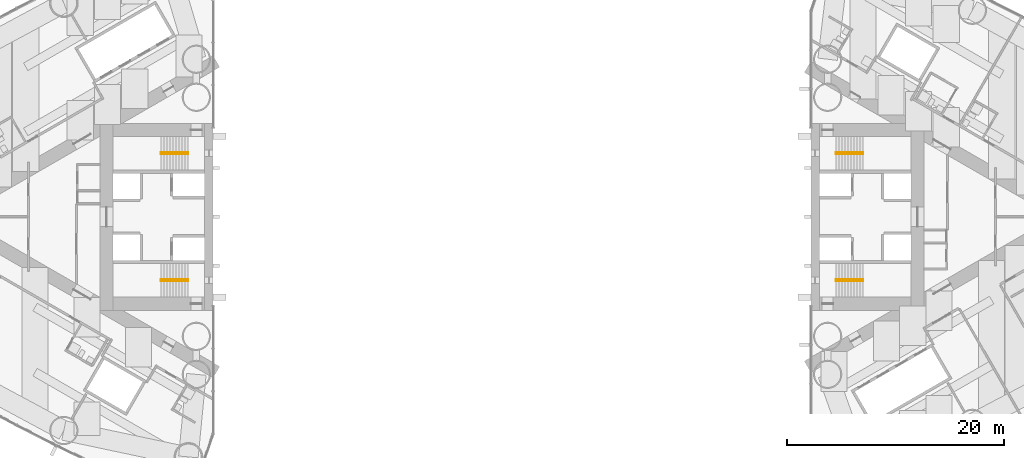
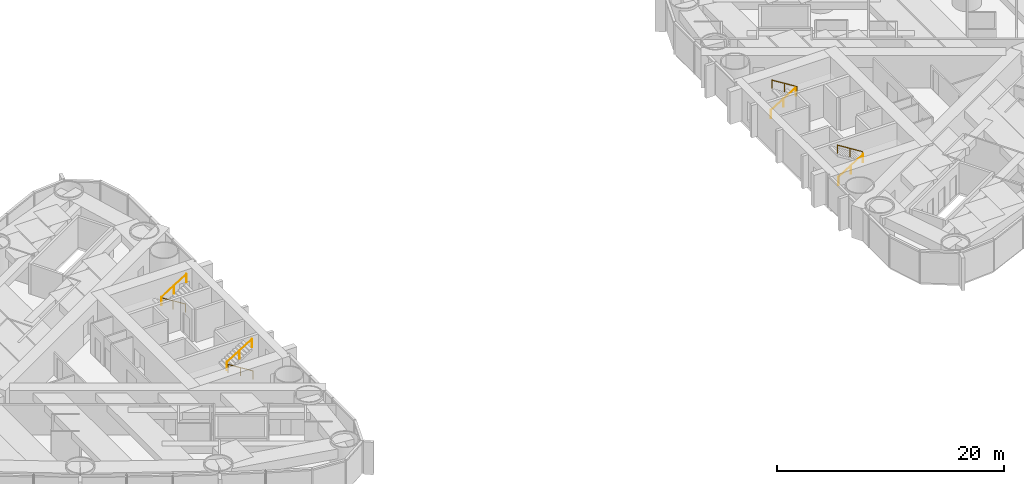
# One storey, part 17 of 18: 8 railings.
"""IFC4 building model written with IfcOpenShell, lengths in metres."""

from ifc_helpers import new_model, si_unit, direction, frame, origin, origin_2d, place, context, subcontext, project, spatial, circle, extrude, material, type_object, element, save


model = new_model("IFC4")

# Units and contexts
model_context = context("Model", 3, precision=1e-05, world=origin(), true_north=direction((0.0, 1.0)))
body_context = subcontext(model_context, "Body", "Model", "MODEL_VIEW")
ifc_project = project(units=[si_unit("LENGTHUNIT", "METRE"), si_unit("AREAUNIT", "SQUARE_METRE"), si_unit("VOLUMEUNIT", "CUBIC_METRE"), si_unit("PLANEANGLEUNIT", "RADIAN"), si_unit("MASSUNIT", "GRAM", prefix="KILO")], contexts=[model_context])

# Site, building, storey
site_placement = place(None, origin())
site = spatial("IfcSite", under=ifc_project, at=site_placement, CompositionType="ELEMENT")
building_placement = place(site_placement, origin())
building = spatial("IfcBuilding", under=site, at=building_placement, Name="Lancet Gate Hotel", CompositionType="ELEMENT")
storey_placement = place(building_placement, frame((0.0, 0.0, 129.10009765625)))
storey = spatial("IfcBuildingStorey", under=building, at=storey_placement, Name="L34", CompositionType="ELEMENT", Elevation=129.10009765625)

# Railings
ifc_material = material(Name="Stainless steel handrail", Category="steel")
railing_type = type_object("IfcRailingType", Name="Stair handrail 900", PredefinedType="HANDRAIL", material=ifc_material)
railing_1_placement = place(storey_placement, frame((-29.800048828125, 5.929931640625, 0.1748046875)))
element("IfcRailing", 1, at=railing_1_placement, inside=storey, type_object=railing_type, Name="ST1 handrail flight 1 L34", PredefinedType="HANDRAIL", context=body_context, shape_type="SweptSolid", body=[
    extrude(circle(Radius=0.02392578125, at=origin_2d()), frame((0.0, 0.0, 0.8759765625), z_axis=(-0.847970611238, 0.0, 0.530043245855), x_axis=(0.0, -1.0, 0.0)), (0.0, 0.0, 1.0), 2.971923828125),
    extrude(circle(Radius=0.02099609375, at=origin_2d()), origin(), (0.0, 0.0, 1.0), 0.851806640625),
    extrude(circle(Radius=0.02099609375, at=origin_2d()), frame((-1.260009765625, 0.0, 0.78759765625)), (0.0, 0.0, 1.0), 0.851806640625),
    extrude(circle(Radius=0.02099609375, at=origin_2d()), frame((-2.52001953125, 0.0, 1.5751953125)), (0.0, 0.0, 1.0), 0.851806640625),
])
railing_2_placement = place(storey_placement, frame((-32.320068359375, 5.77001953125, 1.9248046875)))
element("IfcRailing", 2, at=railing_2_placement, inside=storey, type_object=railing_type, Name="ST1 handrail flight 2 L34", PredefinedType="HANDRAIL", context=body_context, shape_type="SweptSolid", body=[
    extrude(circle(Radius=0.02392578125, at=origin_2d()), frame((0.0, 0.0, 0.8759765625), z_axis=(0.847970611238, 0.0, 0.530043245855), x_axis=(0.0, 1.0, 0.0)), (0.0, 0.0, 1.0), 2.971923828125),
    extrude(circle(Radius=0.02099609375, at=origin_2d()), origin(), (0.0, 0.0, 1.0), 0.851806640625),
    extrude(circle(Radius=0.02099609375, at=origin_2d()), frame((1.260009765625, 0.0, 0.78759765625)), (0.0, 0.0, 1.0), 0.851806640625),
    extrude(circle(Radius=0.02099609375, at=origin_2d()), frame((2.52001953125, 0.0, 1.5751953125)), (0.0, 0.0, 1.0), 0.851806640625),
])
railing_3_placement = place(storey_placement, frame((-29.800048828125, -5.929931640625, 0.1748046875)))
element("IfcRailing", 3, at=railing_3_placement, inside=storey, type_object=railing_type, Name="ST2 handrail flight 1 L34", PredefinedType="HANDRAIL", context=body_context, shape_type="SweptSolid", body=[
    extrude(circle(Radius=0.02392578125, at=origin_2d()), frame((0.0, 0.0, 0.8759765625), z_axis=(-0.847970611238, 0.0, 0.530043245855), x_axis=(0.0, -1.0, 0.0)), (0.0, 0.0, 1.0), 2.971923828125),
    extrude(circle(Radius=0.02099609375, at=origin_2d()), origin(), (0.0, 0.0, 1.0), 0.851806640625),
    extrude(circle(Radius=0.02099609375, at=origin_2d()), frame((-1.260009765625, 0.0, 0.78759765625)), (0.0, 0.0, 1.0), 0.851806640625),
    extrude(circle(Radius=0.02099609375, at=origin_2d()), frame((-2.52001953125, 0.0, 1.5751953125)), (0.0, 0.0, 1.0), 0.851806640625),
])
for number, where, name in (
    (4, (-32.320068359375, -5.77001953125, 1.9248046875), "ST2 handrail flight 2 L34"),
    (5, (29.800048828125, -5.929931640625, 0.1748046875), "ST3 handrail flight 1 L34"),
):
    element("IfcRailing", number, at=place(storey_placement, frame(where)), inside=storey, type_object=railing_type, Name=name, PredefinedType="HANDRAIL", context=body_context, shape_type="SweptSolid", body=[
        extrude(circle(Radius=0.02392578125, at=origin_2d()), frame((0.0, 0.0, 0.8759765625), z_axis=(0.847970611238, 0.0, 0.530043245855), x_axis=(0.0, 1.0, 0.0)), (0.0, 0.0, 1.0), 2.971923828125),
        extrude(circle(Radius=0.02099609375, at=origin_2d()), origin(), (0.0, 0.0, 1.0), 0.851806640625),
        extrude(circle(Radius=0.02099609375, at=origin_2d()), frame((1.260009765625, 0.0, 0.78759765625)), (0.0, 0.0, 1.0), 0.851806640625),
        extrude(circle(Radius=0.02099609375, at=origin_2d()), frame((2.52001953125, 0.0, 1.5751953125)), (0.0, 0.0, 1.0), 0.851806640625),
    ])
railing_4_placement = place(storey_placement, frame((32.320068359375, -5.77001953125, 1.9248046875)))
element("IfcRailing", 6, at=railing_4_placement, inside=storey, type_object=railing_type, Name="ST3 handrail flight 2 L34", PredefinedType="HANDRAIL", context=body_context, shape_type="SweptSolid", body=[
    extrude(circle(Radius=0.02392578125, at=origin_2d()), frame((0.0, 0.0, 0.8759765625), z_axis=(-0.847970611238, 0.0, 0.530043245855), x_axis=(0.0, -1.0, 0.0)), (0.0, 0.0, 1.0), 2.971923828125),
    extrude(circle(Radius=0.02099609375, at=origin_2d()), origin(), (0.0, 0.0, 1.0), 0.851806640625),
    extrude(circle(Radius=0.02099609375, at=origin_2d()), frame((-1.260009765625, 0.0, 0.78759765625)), (0.0, 0.0, 1.0), 0.851806640625),
    extrude(circle(Radius=0.02099609375, at=origin_2d()), frame((-2.52001953125, 0.0, 1.5751953125)), (0.0, 0.0, 1.0), 0.851806640625),
])
railing_5_placement = place(storey_placement, frame((29.800048828125, 5.929931640625, 0.1748046875)))
element("IfcRailing", 7, at=railing_5_placement, inside=storey, type_object=railing_type, Name="ST4 handrail flight 1 L34", PredefinedType="HANDRAIL", context=body_context, shape_type="SweptSolid", body=[
    extrude(circle(Radius=0.02392578125, at=origin_2d()), frame((0.0, 0.0, 0.8759765625), z_axis=(0.847970611238, 0.0, 0.530043245855), x_axis=(0.0, 1.0, 0.0)), (0.0, 0.0, 1.0), 2.971923828125),
    extrude(circle(Radius=0.02099609375, at=origin_2d()), origin(), (0.0, 0.0, 1.0), 0.851806640625),
    extrude(circle(Radius=0.02099609375, at=origin_2d()), frame((1.260009765625, 0.0, 0.78759765625)), (0.0, 0.0, 1.0), 0.851806640625),
    extrude(circle(Radius=0.02099609375, at=origin_2d()), frame((2.52001953125, 0.0, 1.5751953125)), (0.0, 0.0, 1.0), 0.851806640625),
])
railing_6_placement = place(storey_placement, frame((32.320068359375, 5.77001953125, 1.9248046875)))
element("IfcRailing", 8, at=railing_6_placement, inside=storey, type_object=railing_type, Name="ST4 handrail flight 2 L34", PredefinedType="HANDRAIL", context=body_context, shape_type="SweptSolid", body=[
    extrude(circle(Radius=0.02392578125, at=origin_2d()), frame((0.0, 0.0, 0.8759765625), z_axis=(-0.847970611238, 0.0, 0.530043245855), x_axis=(0.0, -1.0, 0.0)), (0.0, 0.0, 1.0), 2.971923828125),
    extrude(circle(Radius=0.02099609375, at=origin_2d()), origin(), (0.0, 0.0, 1.0), 0.851806640625),
    extrude(circle(Radius=0.02099609375, at=origin_2d()), frame((-1.260009765625, 0.0, 0.78759765625)), (0.0, 0.0, 1.0), 0.851806640625),
    extrude(circle(Radius=0.02099609375, at=origin_2d()), frame((-2.52001953125, 0.0, 1.5751953125)), (0.0, 0.0, 1.0), 0.851806640625),
])

save(model, "model.ifc")
